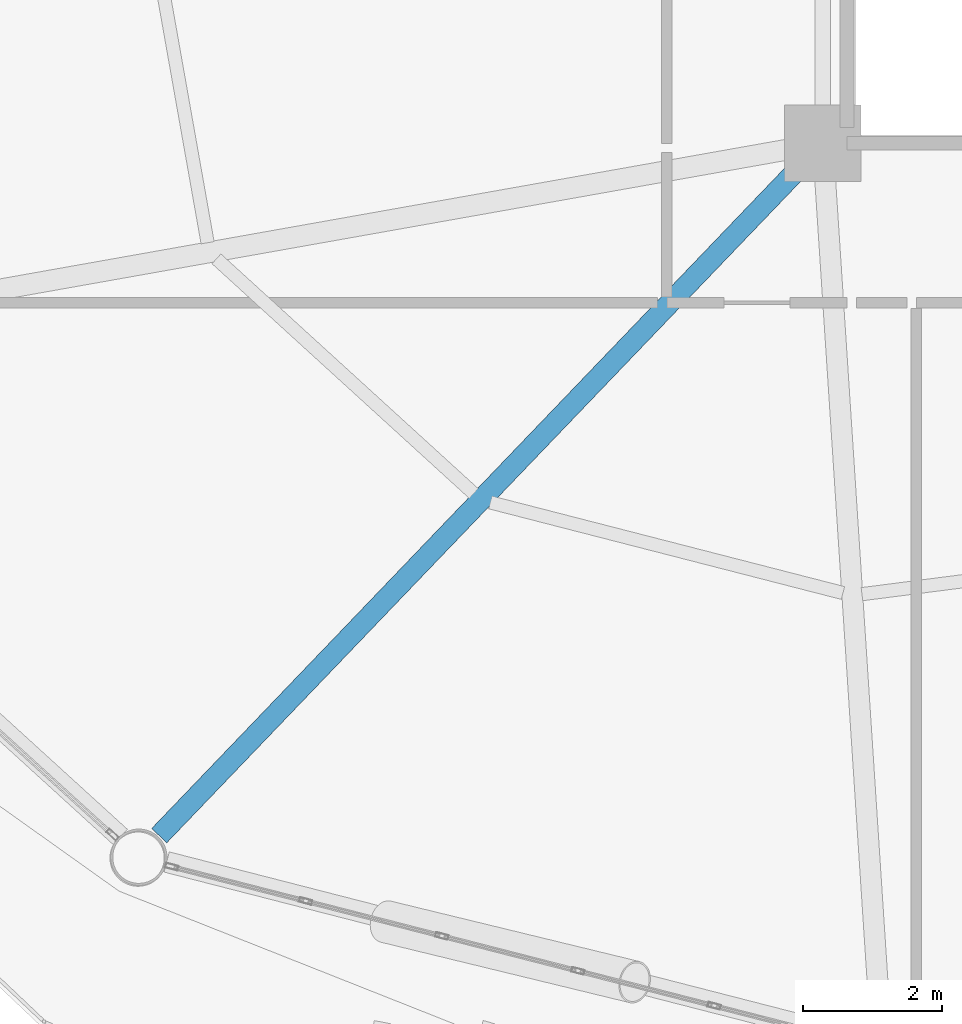
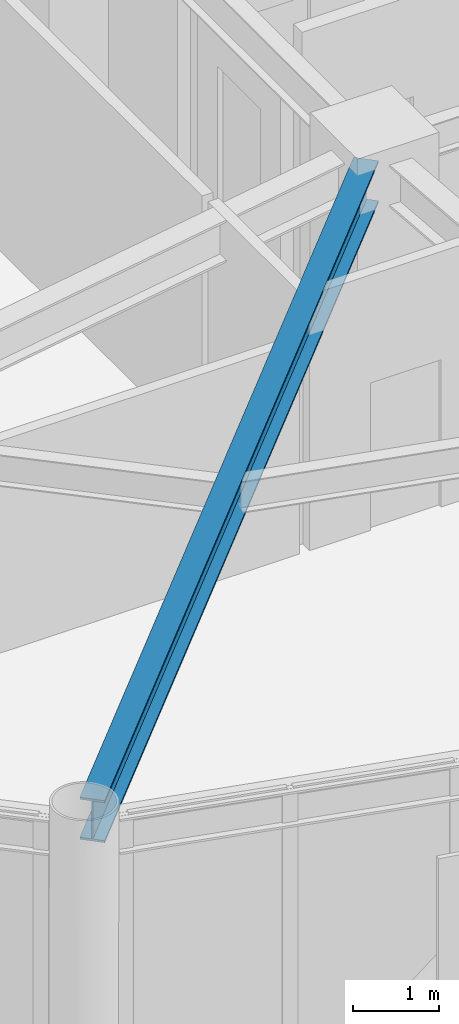
# One storey, part 3 of 24: 1 beam.
"""IFC4 building model written with IfcOpenShell, lengths in metres."""

from ifc_helpers import new_model, si_unit, direction, frame, origin, origin_2d, place, context, subcontext, project, spatial, i_section, extrude, material, material_profile, profile_set, type_object, element, save


model = new_model("IFC4")

# Units and contexts
model_context = context("Model", 3, precision=1e-05, world=origin(), true_north=direction((0.0, 1.0)))
body_context = subcontext(model_context, "Body", "Model", "MODEL_VIEW")
ifc_project = project(units=[si_unit("LENGTHUNIT", "METRE"), si_unit("AREAUNIT", "SQUARE_METRE"), si_unit("VOLUMEUNIT", "CUBIC_METRE"), si_unit("PLANEANGLEUNIT", "RADIAN"), si_unit("MASSUNIT", "GRAM", prefix="KILO")], contexts=[model_context])

# Site, building, storey
site_placement = place(None, origin())
site = spatial("IfcSite", under=ifc_project, at=site_placement, CompositionType="ELEMENT")
building_placement = place(site_placement, origin())
building = spatial("IfcBuilding", under=site, at=building_placement, Name="Varnakorn Sky Granary", CompositionType="ELEMENT")
storey_placement = place(building_placement, frame((0.0, 0.0, 103.199951171875)))
storey = spatial("IfcBuildingStorey", under=building, at=storey_placement, Name="L25", CompositionType="ELEMENT", Elevation=103.199951171875)

# Beam
ifc_material = material(Name="Steel S355JR", Category="steel")
ifc_material_profile = material_profile(ifc_material, i_section(OverallWidth=0.300048828125, OverallDepth=0.60009765625, WebThickness=0.015380859375, FlangeThickness=0.030029296875, at=origin_2d()), Name="HE 600 B")
ifc_profile_set = profile_set([ifc_material_profile], Name="Steel S355JR")
beam_type = type_object("IfcBeamType", Name="BM-RAD-Z2", PredefinedType="BEAM", material=ifc_profile_set)
beam_placement = place(storey_placement, frame((-2.640625, -6.9033203125, 3.340087890625), z_axis=(-0.691955973239, -0.721939700459, 0.0), x_axis=(0.721939700459, -0.691955973239, 0.0)))
element("IfcBeam", 1, at=beam_placement, inside=storey, type_object=beam_type, Name="Radial Floor Girder RG09 L25", PredefinedType="BEAM", context=body_context, shape_type="SweptSolid", body=[
    extrude(i_section(OverallWidth=0.300048828125, OverallDepth=0.60009765625, WebThickness=0.015380859375, FlangeThickness=0.030029296875, at=origin_2d()), origin(), (0.0, 0.0, 1.0), 13.41064453125),
])

save(model, "model.ifc")
